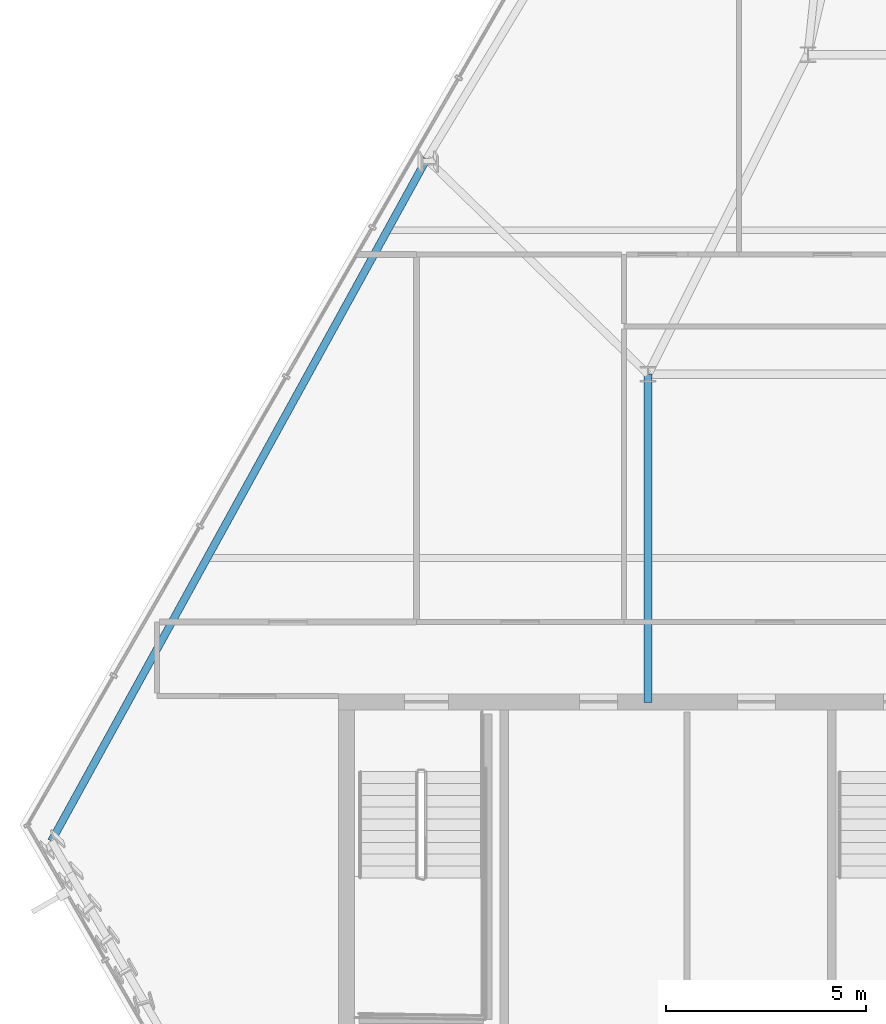
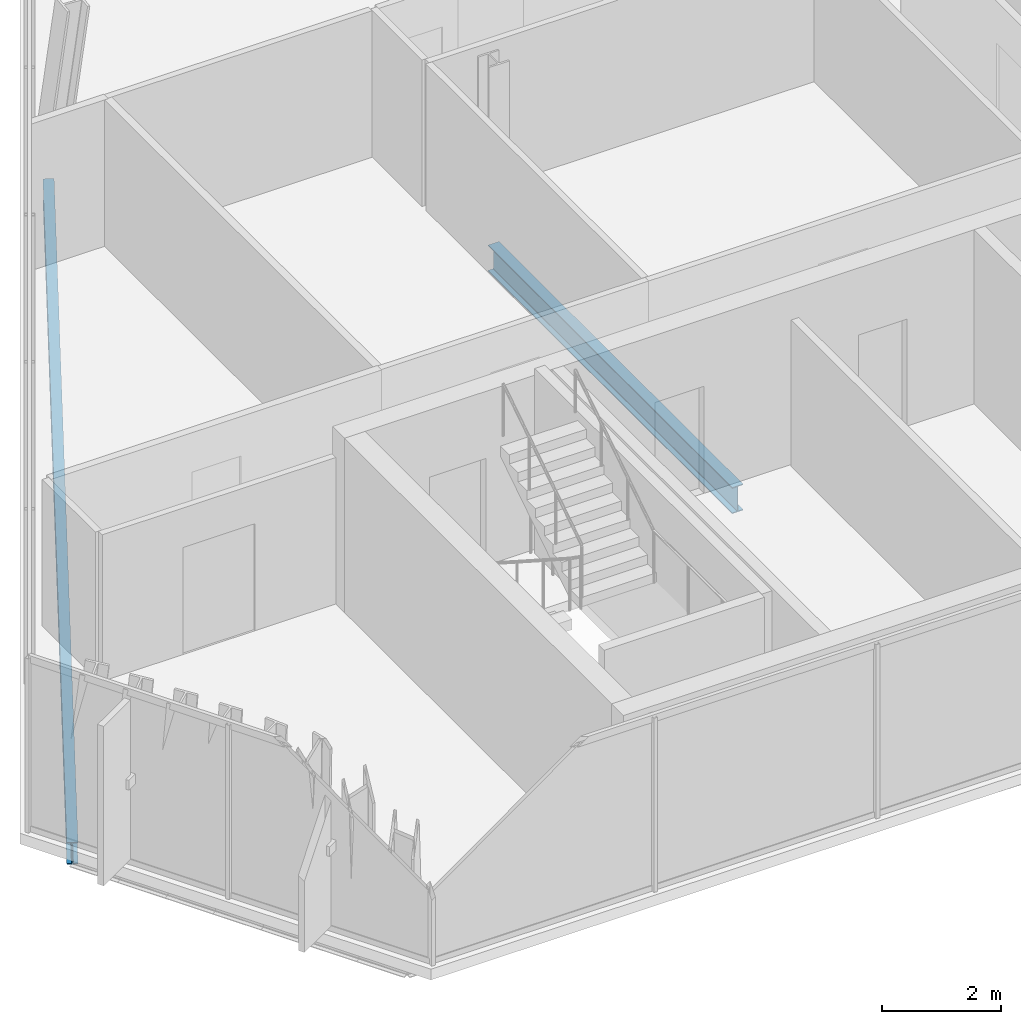
# One storey, part 5 of 30: 2 beams.
"""IFC4 building model written with IfcOpenShell, lengths in metres."""

from ifc_helpers import new_model, si_unit, direction, frame, origin, origin_2d, place, context, subcontext, project, spatial, i_section, extrude, material, material_profile, profile_set, type_object, element, save


model = new_model("IFC4")

# Units and contexts
model_context = context("Model", 3, precision=1e-05, world=origin(), true_north=direction((0.0, 1.0)))
body_context = subcontext(model_context, "Body", "Model", "MODEL_VIEW")
ifc_project = project(units=[si_unit("LENGTHUNIT", "METRE"), si_unit("AREAUNIT", "SQUARE_METRE"), si_unit("VOLUMEUNIT", "CUBIC_METRE"), si_unit("PLANEANGLEUNIT", "RADIAN"), si_unit("MASSUNIT", "GRAM", prefix="KILO")], contexts=[model_context])

# Site, building, storey
site_placement = place(None, origin())
site = spatial("IfcSite", under=ifc_project, at=site_placement, CompositionType="ELEMENT")
building_placement = place(site_placement, origin())
building = spatial("IfcBuilding", under=site, at=building_placement, Name="Ndaravel Arena Tower", CompositionType="ELEMENT")
storey_placement = place(building_placement, frame((0.0, 0.0, 225.60009765625)))
storey = spatial("IfcBuildingStorey", under=building, at=storey_placement, Name="L54", CompositionType="ELEMENT", Elevation=225.60009765625)

# Beams
ifc_material_1 = material(Name="Steel S355", Category="steel")
ifc_material_profile_1 = material_profile(ifc_material_1, i_section(OverallWidth=0.210693359375, OverallDepth=0.53955078125, WebThickness=0.01171875, FlangeThickness=0.018798828125, FilletRadius=0.0126953125, at=origin_2d()), Name="UB 533x210x109")
ifc_profile_set_1 = profile_set([ifc_material_profile_1], Name="Steel S355")
beam_type_1 = type_object("IfcBeamType", Name="BM-GIRD-UB533", PredefinedType="BEAM", material=ifc_profile_set_1)
beam_1_placement = place(storey_placement, frame((34.199951171875, 14.97998046875, -0.48974609375), z_axis=(0.0, 1.0, 0.0), x_axis=(-1.0, 0.0, 0.0)))
element("IfcBeam", 1, at=beam_1_placement, inside=storey, type_object=beam_type_1, Name="L54 Spine Link Girder SLG-01", PredefinedType="BEAM", context=body_context, shape_type="SweptSolid", body=[
    extrude(i_section(OverallWidth=0.210693359375, OverallDepth=0.53955078125, WebThickness=0.01171875, FlangeThickness=0.018798828125, FilletRadius=0.0126953125, at=origin_2d()), origin(), (0.0, 0.0, 1.0), 8.219970703125),
])
ifc_material_2 = material(Name="Steel S355", Category="steel")
ifc_material_profile_2 = material_profile(ifc_material_2, i_section(OverallWidth=0.18994140625, OverallDepth=0.449951171875, WebThickness=0.009521484375, FlangeThickness=0.0146484375, FilletRadius=0.02099609375, at=origin_2d()), Name="IPE 450")
ifc_profile_set_2 = profile_set([ifc_material_profile_2], Name="Steel S355")
beam_type_2 = type_object("IfcBeamType", Name="BM-SPAN-IPE450", PredefinedType="SPANDREL", material=ifc_profile_set_2)
beam_2_placement = place(storey_placement, frame((28.65869140625, 28.587890625, -0.445068359375), z_axis=(-0.482016386815, -0.876162201217, 0.0), x_axis=(0.876162201217, -0.482016386815, 0.0)))
element("IfcBeam", 2, at=beam_2_placement, inside=storey, type_object=beam_type_2, Name="L54 Perimeter Spandrel Beam SP-19", PredefinedType="SPANDREL", context=body_context, shape_type="SweptSolid", body=[
    extrude(i_section(OverallWidth=0.18994140625, OverallDepth=0.449951171875, WebThickness=0.009521484375, FlangeThickness=0.0146484375, FilletRadius=0.02099609375, at=origin_2d()), origin(), (0.0, 0.0, 1.0), 19.485107421875),
])

save(model, "model.ifc")
